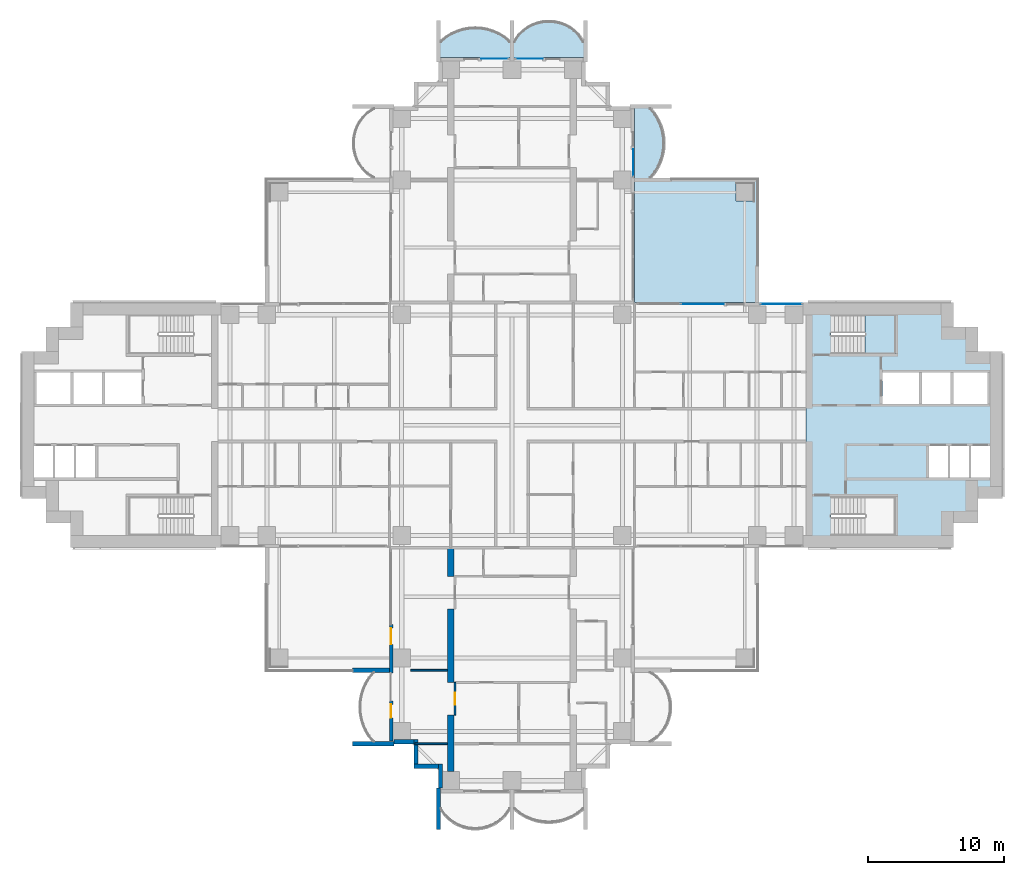
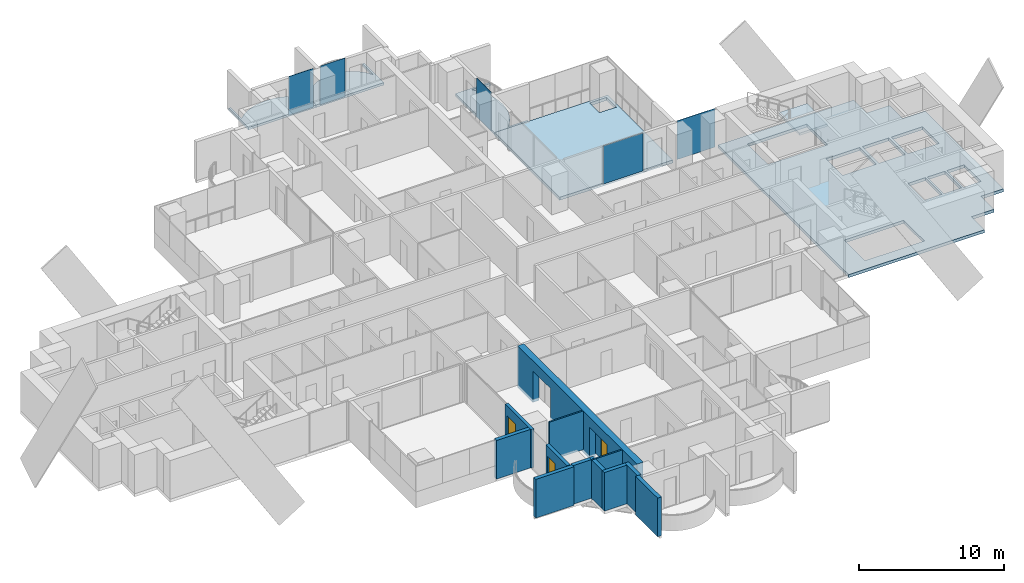
# One storey, part 10 of 22: 13 walls, 6 slabs, 5 plates, 3 doors, 3 openings, 6 elements without a shape of their own.
"""IFC4 building model written with IfcOpenShell, lengths in metres."""

import ifcopenshell
import ifcopenshell.guid

model = None  # the IFC model being written
_history = None  # IfcOwnerHistory: only IFC2X3 demands one
_inside = {}  # id of a spatial element -> (the spatial element, [elements in it])
_under = {}  # id of a project, library or spatial element -> (it, [spatial elements below it])
_declared = {}  # id of a project -> (the project, [libraries it declares])
_typed = {}  # id of a type object -> (the type object, [elements of that type])
_made_of = {}  # id of a material, layer set ... -> (it, [elements and type objects made of it])


def new_model(schema):
    """Start an empty IFC model of exactly this schema.

    Asked for "IFC4X3", IfcOpenShell would pick the latest addendum, in which some entities
    have other attributes; the version numbers below select the first issue.
    IFC2X3 requires an IfcOwnerHistory on every rooted entity: one is made here for all.
    """
    global model, _history
    if schema == "IFC4X3":
        model = ifcopenshell.file(schema_version=(4, 3, 0, 0))
    else:
        model = ifcopenshell.file(schema=schema)
    _inside.clear()
    _under.clear()
    _declared.clear()
    _typed.clear()
    _made_of.clear()
    _history = None
    if model.schema == "IFC2X3":
        org = make("IfcOrganization", Name="unknown")
        user = make(
            "IfcPersonAndOrganization",
            ThePerson=make("IfcPerson", FamilyName="unknown"),
            TheOrganization=org,
        )
        app = make(
            "IfcApplication",
            ApplicationDeveloper=org,
            Version="unknown",
            ApplicationFullName="unknown",
            ApplicationIdentifier="unknown",
        )
        _history = make(
            "IfcOwnerHistory",
            OwningUser=user,
            OwningApplication=app,
            ChangeAction="ADDED",
            CreationDate=0,
        )
    return model


def make(cls, **values):
    """One entity of the class cls with the attributes given. An attribute that is None is left unset."""
    return model.create_entity(
        cls, **{name: value for name, value in values.items() if value is not None}
    )


def rooted(cls, **values):
    """An entity with a GlobalId (a new one), such as an element, a storey or a relation."""
    return make(cls, GlobalId=ifcopenshell.guid.new(), OwnerHistory=_history, **values)


def si_unit(unit_type, name, prefix=None):
    """IfcSIUnit, for example si_unit("LENGTHUNIT", "METRE", prefix="MILLI")."""
    return make("IfcSIUnit", UnitType=unit_type, Prefix=prefix, Name=name)


def assignment(units):
    """IfcUnitAssignment: the units of a project."""
    return None if units is None else make("IfcUnitAssignment", Units=units)


def point(xyz):
    """IfcCartesianPoint."""
    return None if xyz is None else make("IfcCartesianPoint", Coordinates=xyz)


def direction(xyz):
    """IfcDirection."""
    return None if xyz is None else make("IfcDirection", DirectionRatios=xyz)


def frame(location, z_axis=None, x_axis=None):
    """IfcAxis2Placement3D, a coordinate frame: its origin and axes. An axis left out is left unset."""
    return make(
        "IfcAxis2Placement3D",
        Location=point(location),
        Axis=direction(z_axis),
        RefDirection=direction(x_axis),
    )


def frame_2d(location, x_axis=None):
    """IfcAxis2Placement2D, a coordinate frame in the plane: its origin and x axis."""
    return make(
        "IfcAxis2Placement2D", Location=point(location), RefDirection=direction(x_axis)
    )


def origin():
    """The frame at (0, 0, 0) with its axes left unset."""
    return frame((0.0, 0.0, 0.0))


def origin_2d():
    """The frame at (0, 0) in the plane with its x axis left unset."""
    return frame_2d((0.0, 0.0))


def place(relative_to, where):
    """IfcLocalPlacement: puts the frame where relative to a parent placement (None: the world)."""
    return make(
        "IfcLocalPlacement", PlacementRelTo=relative_to, RelativePlacement=where
    )


def context(
    kind, dimensions, precision=None, world=None, true_north=None, identifier=None
):
    """IfcGeometricRepresentationContext, for example the 3D "Model" context."""
    return make(
        "IfcGeometricRepresentationContext",
        ContextIdentifier=identifier,
        ContextType=kind,
        CoordinateSpaceDimension=dimensions,
        Precision=precision,
        WorldCoordinateSystem=world,
        TrueNorth=true_north,
    )


def subcontext(parent, identifier, kind, view, scale=None):
    """IfcGeometricRepresentationSubContext, for example "Body" below "Model"."""
    return make(
        "IfcGeometricRepresentationSubContext",
        ContextIdentifier=identifier,
        ContextType=kind,
        ParentContext=parent,
        TargetScale=scale,
        TargetView=view,
    )


def project(units=None, contexts=None):
    """IfcProject with its units and contexts."""
    return rooted(
        "IfcProject",
        Name="project",
        RepresentationContexts=contexts,
        UnitsInContext=assignment(units),
    )


def spatial(cls, under=None, at=None, **own):
    """A site, building, storey or space (cls), placed at a placement, below another one or the project."""
    s = rooted(cls, ObjectPlacement=at, **own)
    if under is not None:
        _under.setdefault(under.id(), (under, []))[1].append(s)
    return s


def polyline(points):
    """IfcPolyline through the points."""
    return make("IfcPolyline", Points=[point(p) for p in points])


def profile(cls, at=None, kind="AREA", **sizes):
    """A parametric profile (cls). Its sizes go by their IFC names, for example OverallWidth=200.0."""
    return make(cls, ProfileType=kind, Position=at, **sizes)


def rectangle(**sizes):
    """IfcRectangleProfileDef."""
    return profile("IfcRectangleProfileDef", **sizes)


def outline(outer, holes=None, kind="AREA"):
    """IfcArbitraryClosedProfileDef: a profile drawn as a closed curve; with holes, ...WithVoids."""
    if holes is None:
        return make("IfcArbitraryClosedProfileDef", ProfileType=kind, OuterCurve=outer)
    return make(
        "IfcArbitraryProfileDefWithVoids",
        ProfileType=kind,
        OuterCurve=outer,
        InnerCurves=holes,
    )


def extrude(swept, where, along, depth):
    """IfcExtrudedAreaSolid: the profile swept, set in the frame where, extruded along a direction by depth."""
    return make(
        "IfcExtrudedAreaSolid",
        SweptArea=swept,
        Position=where,
        ExtrudedDirection=direction(along),
        Depth=depth,
    )


def shape(context_of_items, identifier, shape_type, items):
    """IfcShapeRepresentation: the items that make up one representation, for example the "Body"."""
    return make(
        "IfcShapeRepresentation",
        ContextOfItems=context_of_items,
        RepresentationIdentifier=identifier,
        RepresentationType=shape_type,
        Items=items,
    )


def material(Name=None, Category=None):
    """IfcMaterial."""
    return make("IfcMaterial", Name=Name, Category=Category)


def layer(
    of_material, thickness, ventilated=None, Name=None, Category=None, Priority=None
):
    """IfcMaterialLayer: one layer of a wall or slab, of a material (None: an air gap)."""
    return make(
        "IfcMaterialLayer",
        Material=of_material,
        LayerThickness=thickness,
        IsVentilated=ventilated,
        Name=Name,
        Category=Category,
        Priority=Priority,
    )


def layer_set(layers, Name=None):
    """IfcMaterialLayerSet."""
    return make("IfcMaterialLayerSet", MaterialLayers=layers, LayerSetName=Name)


def material_profile(
    of_material, cross_section, Name=None, Category=None, Priority=None
):
    """IfcMaterialProfile: a cross section and its material."""
    return make(
        "IfcMaterialProfile",
        Name=Name,
        Material=of_material,
        Profile=cross_section,
        Priority=Priority,
        Category=Category,
    )


def profile_set(profiles, Name=None, composite=None):
    """IfcMaterialProfileSet."""
    return make(
        "IfcMaterialProfileSet",
        Name=Name,
        MaterialProfiles=profiles,
        CompositeProfile=composite,
    )


def made_of(thing, what):
    """Note that an element or type object is made of a material, layer set ...; save() writes the relation."""
    if what is not None:
        _made_of.setdefault(what.id(), (what, []))[1].append(thing)
    return thing


def type_object(cls, material=None, **own):
    """A type object (cls), such as IfcWallType, which elements share."""
    return made_of(rooted(cls, **own), material)


def element(
    cls,
    number,
    at=None,
    inside=None,
    cuts=None,
    type_object=None,
    material=None,
    context=None,
    identifier="Body",
    shape_type=None,
    held_by="IfcProductDefinitionShape",
    body=None,
    shapes=None,
    **own,
):
    """One element of the class cls, such as IfcWall. Its Tag is "e" and its number.

    at: its placement. inside: the storey or other place that contains it. cuts: it is an
    opening in that element (IfcRelVoidsElement). A single representation is given by context,
    identifier, shape_type and body (its items); several are given by shapes. held_by: the class
    of the entity that holds the representations. save() writes the other relations.
    """
    e = rooted(cls, Tag="e%d" % number, ObjectPlacement=at, **own)
    if body is not None:
        shapes = [shape(context, identifier, shape_type, body)]
    if shapes is not None:
        e.Representation = make(held_by, Representations=shapes)
    if inside is not None:
        _inside.setdefault(inside.id(), (inside, []))[1].append(e)
    if cuts is not None:
        rooted(
            "IfcRelVoidsElement", RelatingBuildingElement=cuts, RelatedOpeningElement=e
        )
    if type_object is not None:
        _typed.setdefault(type_object.id(), (type_object, []))[1].append(e)
    return made_of(e, material)


def fill(opening, filler):
    """IfcRelFillsElement: the door or window that sits in an opening."""
    return rooted(
        "IfcRelFillsElement",
        RelatingOpeningElement=opening,
        RelatedBuildingElement=filler,
    )


def aggregate(whole, parts):
    """IfcRelAggregates: a whole, such as a stair, and the parts it consists of."""
    return rooted("IfcRelAggregates", RelatingObject=whole, RelatedObjects=parts)


def save(model, path):
    """Write the relations noted so far, then the file.

    IfcRelAggregates (storeys below a building ...), IfcRelContainedInSpatialStructure (elements
    in a storey), IfcRelDefinesByType, IfcRelAssociatesMaterial and IfcRelDeclares: one each for
    every whole, place, type object, material and project.
    """
    for whole, parts in _under.values():
        aggregate(whole, parts)
    for where, things in _inside.values():
        rooted(
            "IfcRelContainedInSpatialStructure",
            RelatedElements=things,
            RelatingStructure=where,
        )
    for kind, things in _typed.values():
        rooted("IfcRelDefinesByType", RelatedObjects=things, RelatingType=kind)
    for what, things in _made_of.values():
        rooted("IfcRelAssociatesMaterial", RelatedObjects=things, RelatingMaterial=what)
    for by, libraries in _declared.values():
        rooted("IfcRelDeclares", RelatingContext=by, RelatedDefinitions=libraries)
    model.write(path)


model = new_model("IFC4")

# Units and contexts
model_context = context("Model", 3, precision=1e-05, world=origin(), true_north=direction((0.0, 1.0)))
body_context = subcontext(model_context, "Body", "Model", "MODEL_VIEW")
ifc_project = project(units=[si_unit("LENGTHUNIT", "METRE"), si_unit("AREAUNIT", "SQUARE_METRE"), si_unit("VOLUMEUNIT", "CUBIC_METRE"), si_unit("PLANEANGLEUNIT", "RADIAN"), si_unit("MASSUNIT", "GRAM", prefix="KILO")], contexts=[model_context])

# Site, building, storey
site_placement = place(None, origin())
site = spatial("IfcSite", under=ifc_project, at=site_placement, CompositionType="ELEMENT")
building_placement = place(site_placement, origin())
building = spatial("IfcBuilding", under=site, at=building_placement, Name="Perihelion Cross Residences", CompositionType="ELEMENT")
storey_placement = place(building_placement, frame((0.0, 0.0, 50.5)))
storey = spatial("IfcBuildingStorey", under=building, at=storey_placement, Name="L09", CompositionType="ELEMENT", Elevation=50.5)

# Slabs
ifc_material_1 = material(Name="Concrete C40/50", Category="concrete")
ifc_layer_1 = layer(ifc_material_1, 0.199951171875)
ifc_layer_set_1 = layer_set([ifc_layer_1], Name="Balcony slab 200")
slab_type_1 = type_object("IfcSlabType", Name="Balcony slab 200", PredefinedType="FLOOR", material=ifc_layer_set_1)
slab_1_placement = place(storey_placement, frame((0.0, 0.0, -0.199951171875)))
element("IfcSlab", 1, at=slab_1_placement, inside=storey, type_object=slab_type_1, Name="Slab BK1 L09 north side east bay 2 balcony", PredefinedType="FLOOR", context=body_context, shape_type="SweptSolid", body=[
    extrude(outline(polyline([(9.0, 18.0), (9.0, 23.39990234375), (11.699951171875, 23.39990234375), (11.699951171875, 23.25), (10.199951171875, 23.25), (10.5400390625, 22.824951171875), (10.792724609375, 22.39990234375), (10.9765625, 21.97509765625), (11.1025390625, 21.550048828125), (11.17578125, 21.125), (11.199951171875, 20.699951171875), (11.17578125, 20.27490234375), (11.1025390625, 19.85009765625), (10.9765625, 19.425048828125), (10.792724609375, 19.0), (10.5400390625, 18.574951171875), (10.199951171875, 18.14990234375), (11.699951171875, 18.14990234375), (11.699951171875, 18.0), (9.0, 18.0)])), origin(), (0.0, 0.0, 1.0), 0.199951171875),
])
slab_2_placement = place(storey_placement, frame((0.0, 0.0, -0.199951171875)))
element("IfcSlab", 2, at=slab_2_placement, inside=storey, type_object=slab_type_1, Name="Slab BK1 L09 north tip north bay 1 balcony", PredefinedType="FLOOR", context=body_context, shape_type="SweptSolid", body=[
    extrude(outline(polyline([(5.39990234375, 27.0), (0.0, 27.0), (0.0, 29.699951171875), (0.14990234375, 29.699951171875), (0.14990234375, 28.199951171875), (0.489990234375, 28.6767578125), (0.830078125, 29.007080078125), (1.169921875, 29.2490234375), (1.510009765625, 29.42724609375), (1.85009765625, 29.553466796875), (2.18994140625, 29.63427734375), (2.530029296875, 29.674072265625), (2.8701171875, 29.674072265625), (3.2099609375, 29.63427734375), (3.550048828125, 29.553466796875), (3.889892578125, 29.42724609375), (4.22998046875, 29.2490234375), (4.570068359375, 29.007080078125), (4.909912109375, 28.6767578125), (5.25, 28.199951171875), (5.25, 29.699951171875), (5.39990234375, 29.699951171875), (5.39990234375, 27.0)])), origin(), (0.0, 0.0, 1.0), 0.199951171875),
])
slab_3_placement = place(storey_placement, frame((0.0, 0.0, -0.199951171875)))
element("IfcSlab", 3, at=slab_3_placement, inside=storey, type_object=slab_type_1, Name="Slab BK1 L09 north tip north bay 2 balcony", PredefinedType="FLOOR", context=body_context, shape_type="SweptSolid", body=[
    extrude(outline(polyline([(0.0, 27.0), (-5.39990234375, 27.0), (-5.39990234375, 29.699951171875), (-5.25, 29.699951171875), (-5.25, 28.199951171875), (-4.824951171875, 28.5400390625), (-4.39990234375, 28.792724609375), (-3.97509765625, 28.9765625), (-3.550048828125, 29.1025390625), (-3.125, 29.17578125), (-2.699951171875, 29.199951171875), (-2.27490234375, 29.17578125), (-1.85009765625, 29.1025390625), (-1.425048828125, 28.9765625), (-1.0, 28.792724609375), (-0.574951171875, 28.5400390625), (-0.14990234375, 28.199951171875), (-0.14990234375, 29.699951171875), (0.0, 29.699951171875), (0.0, 27.0)])), origin(), (0.0, 0.0, 1.0), 0.199951171875),
])

# Curtain wall, plate
ifc_material_2 = material(Name="Bronze anodised aluminium, tinted glazing", Category="aluminium")
curtain_wall_type = type_object("IfcCurtainWallType", Name="CW1", PredefinedType="NOTDEFINED", material=ifc_material_2)
curtain_wall_1_placement = place(storey_placement, origin())
curtain_wall_1 = element("IfcCurtainWall", 4, at=curtain_wall_1_placement, inside=storey, type_object=curtain_wall_type, Name="Curtain wall CW1 L09 east side north bay 1", PredefinedType="NOTDEFINED")
ifc_material_3 = material(Name="Tinted laminated glass", Category="glass")
ifc_layer_2 = layer(ifc_material_3, 0.028076171875)
ifc_layer_set_2 = layer_set([ifc_layer_2], Name="CW1 panel")
plate_type = type_object("IfcPlateType", Name="CW1 panel", PredefinedType="CURTAIN_PANEL", material=ifc_layer_set_2)
plate_1_placement = place(storey_placement, frame((19.77490234375, 8.89990234375, 0.0), z_axis=(0.0, 0.0, 1.0), x_axis=(-1.0, 0.0, 0.0)))
plate_1 = element("IfcPlate", 5, at=plate_1_placement, type_object=plate_type, Name="CW1 panel 1", PredefinedType="CURTAIN_PANEL", context=body_context, shape_type="SweptSolid", body=[
    extrude(rectangle(XDim=3.030029296875, YDim=0.028076171875, at=origin_2d()), origin(), (0.0, 0.0, 1.0), 3.25),
])
aggregate(curtain_wall_1, [plate_1])

curtain_wall_2_placement = place(storey_placement, origin())
curtain_wall_2 = element("IfcCurtainWall", 6, at=curtain_wall_2_placement, inside=storey, type_object=curtain_wall_type, Name="Curtain wall CW1 L09 east side north bay 2", PredefinedType="NOTDEFINED")
plate_2_placement = place(storey_placement, frame((13.9775390625, 8.89990234375, 0.0), z_axis=(0.0, 0.0, 1.0), x_axis=(-1.0, 0.0, 0.0)))
plate_2 = element("IfcPlate", 7, at=plate_2_placement, type_object=plate_type, Name="CW1 panel 1", PredefinedType="CURTAIN_PANEL", context=body_context, shape_type="SweptSolid", body=[
    extrude(rectangle(XDim=3.14501953125, YDim=0.028076171875, at=origin_2d()), origin(), (0.0, 0.0, 1.0), 3.18994140625),
])
aggregate(curtain_wall_2, [plate_2])

curtain_wall_3_placement = place(storey_placement, origin())
curtain_wall_3 = element("IfcCurtainWall", 8, at=curtain_wall_3_placement, inside=storey, type_object=curtain_wall_type, Name="Curtain wall CW1 L09 north side east bay 2", PredefinedType="NOTDEFINED")
plate_3_placement = place(storey_placement, frame((8.89990234375, 19.2548828125, 0.0), z_axis=(0.0, 0.0, 1.0), x_axis=(0.0, 1.0, 0.0)))
plate_3 = element("IfcPlate", 9, at=plate_3_placement, type_object=plate_type, Name="CW1 panel 1", PredefinedType="CURTAIN_PANEL", context=body_context, shape_type="SweptSolid", body=[
    extrude(rectangle(XDim=1.989990234375, YDim=0.028076171875, at=origin_2d()), origin(), (0.0, 0.0, 1.0), 3.25),
])
aggregate(curtain_wall_3, [plate_3])

curtain_wall_4_placement = place(storey_placement, origin())
curtain_wall_4 = element("IfcCurtainWall", 10, at=curtain_wall_4_placement, inside=storey, type_object=curtain_wall_type, Name="Curtain wall CW1 L09 north tip north bay 1", PredefinedType="NOTDEFINED")
plate_4_placement = place(storey_placement, frame((1.2548828125, 26.89990234375, 0.0), z_axis=(0.0, 0.0, 1.0), x_axis=(-1.0, 0.0, 0.0)))
plate_4 = element("IfcPlate", 11, at=plate_4_placement, type_object=plate_type, Name="CW1 panel 1", PredefinedType="CURTAIN_PANEL", context=body_context, shape_type="SweptSolid", body=[
    extrude(rectangle(XDim=1.989990234375, YDim=0.028076171875, at=origin_2d()), origin(), (0.0, 0.0, 1.0), 3.25),
])
aggregate(curtain_wall_4, [plate_4])

curtain_wall_5_placement = place(storey_placement, origin())
curtain_wall_5 = element("IfcCurtainWall", 12, at=curtain_wall_5_placement, inside=storey, type_object=curtain_wall_type, Name="Curtain wall CW1 L09 north tip north bay 2", PredefinedType="NOTDEFINED")
plate_5_placement = place(storey_placement, frame((-1.2548828125, 26.89990234375, 0.0), z_axis=(0.0, 0.0, 1.0), x_axis=(-1.0, 0.0, 0.0)))
plate_5 = element("IfcPlate", 13, at=plate_5_placement, type_object=plate_type, Name="CW1 panel 1", PredefinedType="CURTAIN_PANEL", context=body_context, shape_type="SweptSolid", body=[
    extrude(rectangle(XDim=1.989990234375, YDim=0.028076171875, at=origin_2d()), origin(), (0.0, 0.0, 1.0), 3.25),
])
aggregate(curtain_wall_5, [plate_5])

# Slabs
ifc_material_4 = material(Name="Concrete C40/50", Category="concrete")
ifc_layer_3 = layer(ifc_material_4, 0.25)
ifc_layer_set_3 = layer_set([ifc_layer_3], Name="Core floor slab 250")
slab_type_2 = type_object("IfcSlabType", Name="Core floor slab 250", PredefinedType="FLOOR", material=ifc_layer_set_3)
slab_4_placement = place(storey_placement, frame((0.0, 0.0, -0.25)))
element("IfcSlab", 14, at=slab_4_placement, inside=storey, type_object=slab_type_2, Name="East core floor slab", PredefinedType="FLOOR", context=body_context, shape_type="SweptSolid", body=[
    extrude(outline(polyline([(32.39990234375, 7.199951171875), (34.199951171875, 7.199951171875), (34.199951171875, 5.39990234375), (36.0, 5.39990234375), (36.0, -5.39990234375), (34.199951171875, -5.39990234375), (34.199951171875, -7.199951171875), (32.39990234375, -7.199951171875), (32.39990234375, -9.0), (21.60009765625, -9.0), (21.60009765625, 9.0), (32.39990234375, 9.0), (32.39990234375, 7.199951171875)]), holes=[polyline([(23.405029296875, -8.10009765625), (28.14990234375, -8.10009765625), (28.14990234375, -5.25), (23.405029296875, -5.25), (23.405029296875, -8.10009765625)]), polyline([(30.60009765625, -1.550048828125), (30.60009765625, -3.85009765625), (32.0, -3.85009765625), (32.0, -1.550048828125), (30.60009765625, -1.550048828125)]), polyline([(32.14990234375, -1.550048828125), (32.14990234375, -3.85009765625), (33.550048828125, -3.85009765625), (33.550048828125, -1.550048828125), (32.14990234375, -1.550048828125)]), polyline([(33.699951171875, -1.550048828125), (33.699951171875, -3.85009765625), (35.10009765625, -3.85009765625), (35.10009765625, -1.550048828125), (33.699951171875, -1.550048828125)]), polyline([(27.199951171875, 3.85009765625), (27.199951171875, 1.550048828125), (29.89990234375, 1.550048828125), (29.89990234375, 3.85009765625), (27.199951171875, 3.85009765625)]), polyline([(30.10009765625, 3.85009765625), (30.10009765625, 1.550048828125), (32.199951171875, 1.550048828125), (32.199951171875, 3.85009765625), (30.10009765625, 3.85009765625)]), polyline([(32.39990234375, 3.85009765625), (32.39990234375, 1.550048828125), (34.89990234375, 1.550048828125), (34.89990234375, 3.85009765625), (32.39990234375, 3.85009765625)]), polyline([(23.405029296875, 5.25), (28.14990234375, 5.25), (28.14990234375, 8.10009765625), (23.405029296875, 8.10009765625), (23.405029296875, 5.25)])]), origin(), (0.0, 0.0, 1.0), 0.25),
])
ifc_material_5 = material(Name="Concrete C40/50", Category="concrete")
ifc_layer_4 = layer(ifc_material_5, 0.25)
ifc_layer_set_4 = layer_set([ifc_layer_4], Name="Corner terrace slab")
slab_type_3 = type_object("IfcSlabType", Name="Corner terrace slab", PredefinedType="FLOOR", material=ifc_layer_set_4)
slab_5_placement = place(storey_placement, frame((0.0, 0.0, -0.25)))
element("IfcSlab", 15, at=slab_5_placement, inside=storey, type_object=slab_type_3, Name="Slab BK2 L09 pocket north-east", PredefinedType="FLOOR", context=body_context, shape_type="SweptSolid", body=[
    extrude(outline(polyline([(18.0, 9.0), (18.0, 18.0), (9.0, 18.0), (9.0, 9.0), (18.0, 9.0)]), holes=[polyline([(16.449951171875, 16.449951171875), (16.449951171875, 17.7900390625), (17.7900390625, 17.7900390625), (17.7900390625, 16.409912109375), (17.75, 16.409912109375), (17.75, 16.449951171875), (16.449951171875, 16.449951171875)])]), origin(), (0.0, 0.0, 1.0), 0.25),
])

# Stair, slab
ifc_material_6 = material(Name="Concrete C40/50", Category="concrete")
stair_type = type_object("IfcStairType", Name="Exit stair, half-turn", PredefinedType="HALF_TURN_STAIR", material=ifc_material_6)
stair_placement = place(storey_placement, origin())
stair = element("IfcStair", 16, at=stair_placement, inside=storey, type_object=stair_type, Name="L09 East core exit stair 1", PredefinedType="HALF_TURN_STAIR")
ifc_material_7 = material(Name="Concrete C40/50", Category="concrete")
ifc_layer_5 = layer(ifc_material_7, 0.199951171875)
ifc_layer_set_5 = layer_set([ifc_layer_5], Name="Exit stair landing 200")
slab_type_4 = type_object("IfcSlabType", Name="Exit stair landing 200", PredefinedType="LANDING", material=ifc_layer_set_5)
slab_6_placement = place(storey_placement, frame((0.0, 0.0, 1.550048828125)))
slab_6 = element("IfcSlab", 17, at=slab_6_placement, type_object=slab_type_4, Name="ST-E1 landing 1", PredefinedType="LANDING", context=body_context, shape_type="SweptSolid", body=[
    extrude(outline(polyline([(25.919921875, 5.25), (28.14990234375, 5.25), (28.14990234375, 8.10009765625), (25.919921875, 8.10009765625), (25.919921875, 5.25)])), origin(), (0.0, 0.0, 1.0), 0.199951171875),
])
aggregate(stair, [slab_6])

# Wall, opening, door
ifc_material_8 = material(Name="Concrete C30/37, bronze-clad", Category="concrete")
ifc_layer_6 = layer(ifc_material_8, 0.25)
ifc_layer_set_6 = layer_set([ifc_layer_6], Name="Bronze-clad pier wall 250")
wall_type_1 = type_object("IfcWallType", Name="Bronze-clad pier wall 250", PredefinedType="SOLIDWALL", material=ifc_layer_set_6)
wall_1_placement = place(storey_placement, frame((-8.875, -14.64990234375, 0.0), z_axis=(0.0, 0.0, 1.0), x_axis=(0.0, -1.0, 0.0)))
wall_1 = element("IfcWall", 18, at=wall_1_placement, inside=storey, type_object=wall_type_1, Name="Wall FW1 L09 south side west bay 1 pier", PredefinedType="SOLIDWALL", context=body_context, shape_type="SweptSolid", body=[
    extrude(rectangle(XDim=3.550048828125, YDim=0.25, at=frame_2d((1.77490234375, 0.0))), origin(), (0.0, 0.0, 1.0), 3.25),
])
opening_1_placement = place(wall_1_placement, frame((0.25, 0.0, 0.0)))
opening_1 = element("IfcOpeningElement", 19, at=opening_1_placement, cuts=wall_1, Name="Opening L09.E10", PredefinedType="OPENING", context=body_context, shape_type="SweptSolid", body=[
    extrude(rectangle(XDim=1.199951171875, YDim=2.39990234375, at=frame_2d((0.60009765625, 1.199951171875))), frame((0.0, 0.135009765625, 0.0), z_axis=(0.0, -1.0, 0.0), x_axis=(1.0, 0.0, 0.0)), (0.0, 0.0, 1.0), 0.27001953125),
])
ifc_material_9 = material(Name="Bronze anodised aluminium, glazed", Category="aluminium")
door_type_1 = type_object("IfcDoorType", Name="Balcony door 1200 x 2400", OperationType="NOTDEFINED", PredefinedType="DOOR", material=ifc_material_9)
door_1_placement = place(opening_1_placement, origin())
door_1 = element("IfcDoor", 20, at=door_1_placement, inside=storey, type_object=door_type_1, Name="Door L09.E10 south side west bay 1", OperationType="SINGLE_SWING_LEFT", OverallHeight=2.39990234375, OverallWidth=1.199951171875, PredefinedType="DOOR", context=body_context, shape_type="SweptSolid", body=[
    extrude(rectangle(XDim=1.199951171875, YDim=2.39990234375, at=frame_2d((0.60009765625, 1.199951171875))), frame((0.0, 0.02490234375, 0.0), z_axis=(0.0, -1.0, 0.0), x_axis=(1.0, 0.0, 0.0)), (0.0, 0.0, 1.0), 0.050048828125),
])
fill(opening_1, door_1)

wall_2_placement = place(storey_placement, frame((-8.875, -20.25, 0.0), z_axis=(0.0, 0.0, 1.0), x_axis=(0.0, -1.0, 0.0)))
wall_2 = element("IfcWall", 21, at=wall_2_placement, inside=storey, type_object=wall_type_1, Name="Wall FW1 L09 south side west bay 2 pier", PredefinedType="SOLIDWALL", context=body_context, shape_type="SweptSolid", body=[
    extrude(rectangle(XDim=2.949951171875, YDim=0.25, at=frame_2d((1.47509765625, 0.0))), origin(), (0.0, 0.0, 1.0), 3.25),
])
opening_2_placement = place(wall_2_placement, frame((0.25, 0.0, 0.0)))
opening_2 = element("IfcOpeningElement", 22, at=opening_2_placement, cuts=wall_2, Name="Opening L09.E11", PredefinedType="OPENING", context=body_context, shape_type="SweptSolid", body=[
    extrude(rectangle(XDim=1.0, YDim=2.39990234375, at=frame_2d((0.5, 1.199951171875))), frame((0.0, 0.135009765625, 0.0), z_axis=(0.0, -1.0, 0.0), x_axis=(1.0, 0.0, 0.0)), (0.0, 0.0, 1.0), 0.27001953125),
])
ifc_material_10 = material(Name="Bronze anodised aluminium, glazed", Category="aluminium")
door_type_2 = type_object("IfcDoorType", Name="Balcony door 1000 x 2400", OperationType="NOTDEFINED", PredefinedType="DOOR", material=ifc_material_10)
door_2_placement = place(opening_2_placement, origin())
door_2 = element("IfcDoor", 23, at=door_2_placement, inside=storey, type_object=door_type_2, Name="Door L09.E11 south side west bay 2", OperationType="SINGLE_SWING_RIGHT", OverallHeight=2.39990234375, OverallWidth=1.0, PredefinedType="DOOR", context=body_context, shape_type="SweptSolid", body=[
    extrude(rectangle(XDim=1.0, YDim=2.39990234375, at=frame_2d((0.5, 1.199951171875))), frame((0.0, 0.02490234375, 0.0), z_axis=(0.0, -1.0, 0.0), x_axis=(1.0, 0.0, 0.0)), (0.0, 0.0, 1.0), 0.050048828125),
])
fill(opening_2, door_2)

# Walls
ifc_material_11 = material(Name="Concrete C30/37, bronze-clad", Category="concrete")
ifc_layer_7 = layer(ifc_material_11, 0.300048828125)
ifc_layer_set_7 = layer_set([ifc_layer_7], Name="Bronze-clad serration wall 300")
wall_type_2 = type_object("IfcWallType", Name="Bronze-clad serration wall 300", PredefinedType="SOLIDWALL", material=ifc_layer_set_7)
wall_3_placement = place(storey_placement, frame((-8.64990234375, -23.25, 0.0), z_axis=(0.0, 0.0, 1.0), x_axis=(1.0, 0.0, 0.0)))
element("IfcWall", 24, at=wall_3_placement, inside=storey, type_object=wall_type_2, Name="Wall SR1 L09 south corner south-west 1", PredefinedType="SOLIDWALL", context=body_context, shape_type="SweptSolid", body=[
    extrude(rectangle(XDim=1.449951171875, YDim=0.300048828125, at=frame_2d((0.72509765625, 0.0))), origin(), (0.0, 0.0, 1.0), 3.25),
])
wall_4_placement = place(storey_placement, frame((-7.050048828125, -23.10009765625, 0.0), z_axis=(0.0, 0.0, 1.0), x_axis=(0.0, -1.0, 0.0)))
element("IfcWall", 25, at=wall_4_placement, inside=storey, type_object=wall_type_2, Name="Wall SR1 L09 south corner south-west 2", PredefinedType="SOLIDWALL", context=body_context, shape_type="SweptSolid", body=[
    extrude(rectangle(XDim=1.7998046875, YDim=0.300048828125, at=frame_2d((0.89990234375, 0.0))), origin(), (0.0, 0.0, 1.0), 3.25),
])
wall_5_placement = place(storey_placement, frame((-7.199951171875, -25.050048828125, 0.0), z_axis=(0.0, 0.0, 1.0), x_axis=(1.0, 0.0, 0.0)))
element("IfcWall", 26, at=wall_5_placement, inside=storey, type_object=wall_type_2, Name="Wall SR1 L09 south corner south-west 3", PredefinedType="SOLIDWALL", context=body_context, shape_type="SweptSolid", body=[
    extrude(rectangle(XDim=1.800048828125, YDim=0.300048828125, at=frame_2d((0.89990234375, 0.0))), origin(), (0.0, 0.0, 1.0), 3.25),
])
wall_6_placement = place(storey_placement, frame((-5.25, -24.89990234375, 0.0), z_axis=(0.0, 0.0, 1.0), x_axis=(0.0, -1.0, 0.0)))
element("IfcWall", 27, at=wall_6_placement, inside=storey, type_object=wall_type_2, Name="Wall SR1 L09 south corner south-west 4", PredefinedType="SOLIDWALL", context=body_context, shape_type="SweptSolid", body=[
    extrude(rectangle(XDim=1.75, YDim=0.300048828125, at=frame_2d((0.875, 0.0))), origin(), (0.0, 0.0, 1.0), 3.25),
])

# Wall, opening, door
ifc_material_12 = material(Name="Plasterboard partition")
ifc_layer_8 = layer(ifc_material_12, 0.1201171875)
ifc_layer_set_8 = layer_set([ifc_layer_8], Name="Infill panel 120")
wall_type_3 = type_object("IfcWallType", Name="Infill panel 120", PredefinedType="PARTITIONING", material=ifc_layer_set_8)
wall_7_placement = place(storey_placement, frame((-4.18994140625, -18.89990234375, 0.0), z_axis=(0.0, 0.0, 1.0), x_axis=(0.0, -1.0, 0.0)))
wall_7 = element("IfcWall", 28, at=wall_7_placement, inside=storey, type_object=wall_type_3, Name="Partition L09 WI08", PredefinedType="PARTITIONING", context=body_context, shape_type="SweptSolid", body=[
    extrude(rectangle(XDim=2.400146484375, YDim=0.1201171875, at=frame_2d((1.2001953125, 0.0))), origin(), (0.0, 0.0, 1.0), 2.39990234375),
])
opening_3_placement = place(wall_7_placement, frame((0.75, 0.0, 0.0)))
opening_3 = element("IfcOpeningElement", 29, at=opening_3_placement, cuts=wall_7, Name="Opening L09.A58", PredefinedType="OPENING", context=body_context, shape_type="SweptSolid", body=[
    extrude(rectangle(XDim=0.89990234375, YDim=2.10009765625, at=frame_2d((0.449951171875, 1.050048828125))), frame((0.0, 0.070068359375, 0.0), z_axis=(0.0, -1.0, 0.0), x_axis=(1.0, 0.0, 0.0)), (0.0, 0.0, 1.0), 0.14013671875),
])
ifc_material_13 = material(Name="Timber door leaf", Category="wood")
door_type_3 = type_object("IfcDoorType", Name="Interior room door 900 x 2100", OperationType="SINGLE_SWING_LEFT", PredefinedType="DOOR", material=ifc_material_13)
door_3_placement = place(opening_3_placement, origin())
door_3 = element("IfcDoor", 30, at=door_3_placement, inside=storey, type_object=door_type_3, Name="Door L09.A58", OperationType="SINGLE_SWING_RIGHT", OverallHeight=2.10009765625, OverallWidth=0.89990234375, PredefinedType="DOOR", context=body_context, shape_type="SweptSolid", body=[
    extrude(rectangle(XDim=0.89990234375, YDim=2.10009765625, at=frame_2d((0.449951171875, 1.050048828125))), frame((0.0, 0.02490234375, 0.0), z_axis=(0.0, -1.0, 0.0), x_axis=(1.0, 0.0, 0.0)), (0.0, 0.0, 1.0), 0.050048828125),
])
fill(opening_3, door_3)

# Walls
ifc_material_14 = material(Name="Plasterboard partition")
ifc_layer_9 = layer(ifc_material_14, 0.1201171875)
ifc_layer_set_9 = layer_set([ifc_layer_9], Name="Partition wall 120")
wall_type_4 = type_object("IfcWallType", Name="Partition wall 120", PredefinedType="PARTITIONING", material=ifc_layer_set_9)
wall_8_placement = place(storey_placement, frame((-4.75, -18.0, 0.0), z_axis=(0.0, 0.0, 1.0), x_axis=(-1.0, 0.0, 0.0)))
element("IfcWall", 31, at=wall_8_placement, inside=storey, type_object=wall_type_4, Name="Partition L09 W079", PredefinedType="PARTITIONING", context=body_context, shape_type="SweptSolid", body=[
    extrude(rectangle(XDim=2.699951171875, YDim=0.1201171875, at=frame_2d((1.35009765625, 0.0))), origin(), (0.0, 0.0, 1.0), 3.25),
])
wall_9_placement = place(storey_placement, frame((-4.75, -23.39990234375, 0.0), z_axis=(0.0, 0.0, 1.0), x_axis=(-1.0, 0.0, 0.0)))
element("IfcWall", 32, at=wall_9_placement, inside=storey, type_object=wall_type_4, Name="Partition L09 W080", PredefinedType="PARTITIONING", context=body_context, shape_type="SweptSolid", body=[
    extrude(rectangle(XDim=2.3701171875, YDim=0.1201171875, at=frame_2d((1.18505859375, 0.0))), origin(), (0.0, 0.0, 1.0), 3.25),
])
ifc_material_15 = material(Name="Precast concrete C50/60", Category="concrete")
ifc_layer_10 = layer(ifc_material_15, 0.300048828125)
ifc_layer_set_10 = layer_set([ifc_layer_10], Name="Precast concrete C50/60 blade wall 300")
wall_type_5 = type_object("IfcWallType", Name="Precast concrete C50/60 blade wall 300", PredefinedType="SOLIDWALL", material=ifc_layer_set_10)
wall_10_placement = place(storey_placement, frame((-8.64990234375, -23.39990234375, 0.0), z_axis=(0.0, 0.0, 1.0), x_axis=(-1.0, 0.0, 0.0)))
element("IfcWall", 33, at=wall_10_placement, inside=storey, type_object=wall_type_5, Name="Wall BL1 L09 no. 6", PredefinedType="SOLIDWALL", context=body_context, shape_type="SweptSolid", body=[
    extrude(rectangle(XDim=3.050048828125, YDim=0.300048828125, at=frame_2d((1.52490234375, 0.0))), origin(), (0.0, 0.0, 1.0), 3.25),
])
wall_11_placement = place(storey_placement, frame((-9.0, -18.0, 0.0), z_axis=(0.0, 0.0, 1.0), x_axis=(-1.0, 0.0, 0.0)))
element("IfcWall", 34, at=wall_11_placement, inside=storey, type_object=wall_type_5, Name="Wall BL1 L09 no. 5", PredefinedType="SOLIDWALL", context=body_context, shape_type="SweptSolid", body=[
    extrude(rectangle(XDim=2.699951171875, YDim=0.300048828125, at=frame_2d((1.35009765625, 0.0))), origin(), (0.0, 0.0, 1.0), 3.25),
])
wall_12_placement = place(storey_placement, frame((-5.39990234375, -26.64990234375, 0.0), z_axis=(0.0, 0.0, 1.0), x_axis=(0.0, -1.0, 0.0)))
element("IfcWall", 35, at=wall_12_placement, inside=storey, type_object=wall_type_5, Name="Wall BL1 L09 no. 3", PredefinedType="SOLIDWALL", context=body_context, shape_type="SweptSolid", body=[
    extrude(rectangle(XDim=3.050048828125, YDim=0.300048828125, at=frame_2d((1.52490234375, 0.0))), origin(), (0.0, 0.0, 1.0), 3.25),
])
ifc_material_16 = material(Name="Concrete C60/75", Category="concrete")
ifc_material_profile = material_profile(ifc_material_16, outline(polyline([(0.0, 0.0), (4.14990234375, 0.0), (4.14990234375, 2.64990234375), (6.550048828125, 2.64990234375), (6.550048828125, 0.0), (11.949951171875, 0.0), (11.949951171875, 2.64990234375), (14.35009765625, 2.64990234375), (14.35009765625, 0.0), (16.449951171875, 0.0), (16.449951171875, 3.5), (0.0, 3.5), (0.0, 0.0)])), Name="Tip spine wall")
ifc_profile_set = profile_set([ifc_material_profile], Name="Concrete C60/75")
wall_type_6 = type_object("IfcWallType", Name="Tip spine wall 500 with 2 door openings 16450 long 3500 high concrete C60/75 hand A", PredefinedType="SHEAR", material=ifc_profile_set)
wall_13_placement = place(storey_placement, frame((-4.75, -25.449951171875, -0.25), z_axis=(1.0, 0.0, 0.0), x_axis=(0.0, 1.0, 0.0)))
element("IfcWall", 36, at=wall_13_placement, inside=storey, type_object=wall_type_6, Name="Shear wall SW24 L09 south west", PredefinedType="SHEAR", context=body_context, shape_type="SweptSolid", body=[
    extrude(outline(polyline([(0.0, 0.0), (4.14990234375, 0.0), (4.14990234375, 2.64990234375), (6.550048828125, 2.64990234375), (6.550048828125, 0.0), (11.949951171875, 0.0), (11.949951171875, 2.64990234375), (14.35009765625, 2.64990234375), (14.35009765625, 0.0), (16.449951171875, 0.0), (16.449951171875, 3.5), (0.0, 3.5), (0.0, 0.0)])), origin(), (0.0, 0.0, 1.0), 0.5),
])

save(model, "model.ifc")
